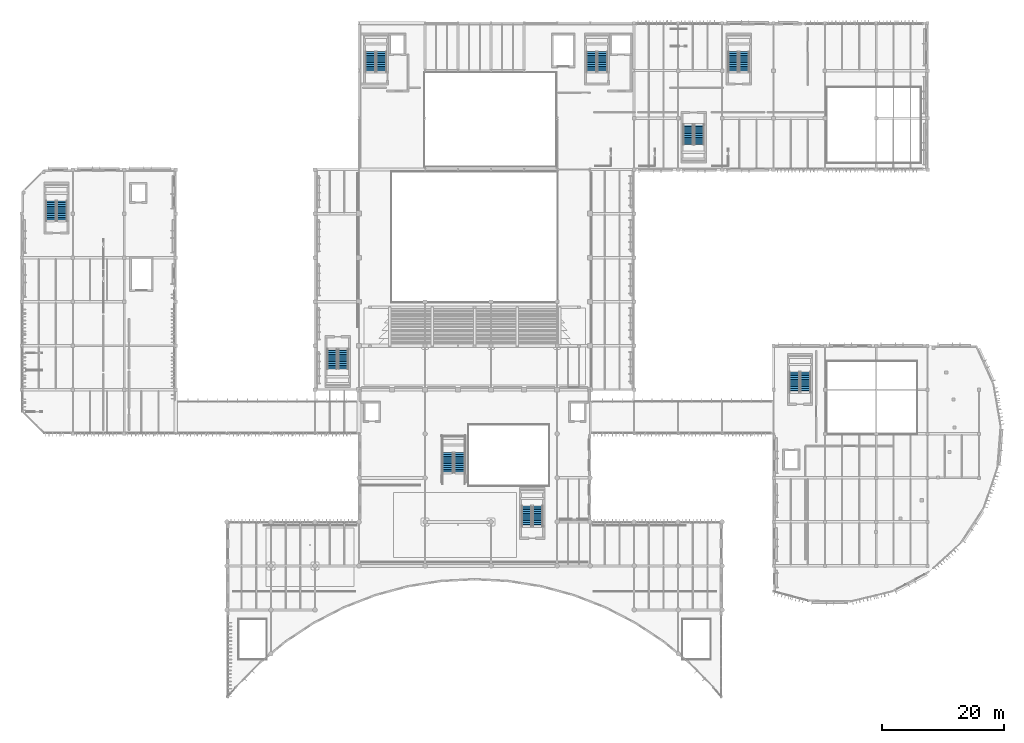
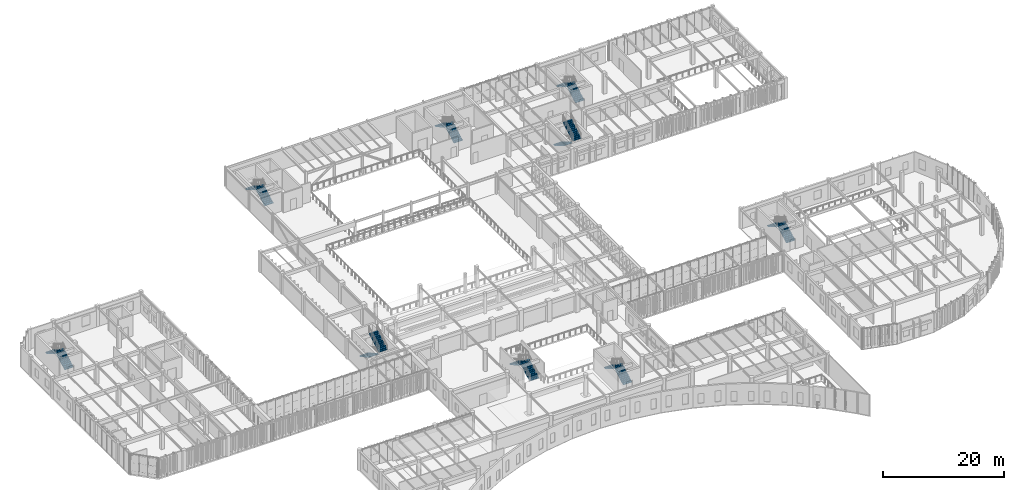
# One storey, part 49 of 122: 18 stair flights, 9 elements without a shape of their own.
"""IFC4 building model written with IfcOpenShell, lengths in metres."""

from ifc_helpers import new_model, si_unit, direction, frame, origin, place, context, subcontext, project, spatial, polyline, outline, extrude, material, type_object, element, aggregate, save


model = new_model("IFC4")

# Units and contexts
model_context = context("Model", 3, precision=1e-05, world=origin(), true_north=direction((0.0, 1.0)))
body_context = subcontext(model_context, "Body", "Model", "MODEL_VIEW")
ifc_project = project(units=[si_unit("LENGTHUNIT", "METRE"), si_unit("AREAUNIT", "SQUARE_METRE"), si_unit("VOLUMEUNIT", "CUBIC_METRE"), si_unit("PLANEANGLEUNIT", "RADIAN"), si_unit("MASSUNIT", "GRAM", prefix="KILO")], contexts=[model_context])

# Site, building, storey
site_placement = place(None, origin())
site = spatial("IfcSite", under=ifc_project, at=site_placement, CompositionType="ELEMENT")
building_placement = place(site_placement, origin())
building = spatial("IfcBuilding", under=site, at=building_placement, Name="Tazoul Stagehouse", CompositionType="ELEMENT")
storey_placement = place(building_placement, frame((0.0, 0.0, 4.800048828125)))
storey = spatial("IfcBuildingStorey", under=building, at=storey_placement, Name="L01", CompositionType="ELEMENT", Elevation=4.800048828125)

# Stair, stair flights
ifc_material = material(Name="Concrete C40/50", Category="concrete")
stair_type_1 = type_object("IfcStairType", Name="Protected Core Dogleg Stair 4800", PredefinedType="HALF_TURN_STAIR", material=ifc_material)
stair_1_placement = place(storey_placement, origin())
stair_1 = element("IfcStair", 1, at=stair_1_placement, inside=storey, type_object=stair_type_1, Name="L01 Core Escape Stair ST-01", PredefinedType="HALF_TURN_STAIR")
stair_flight_type_1 = type_object("IfcStairFlightType", Name="Core Stair Flight W1650", PredefinedType="STRAIGHT", material=ifc_material)
stair_flight_1_placement = place(storey_placement, frame((97.425048828125, 103.800048828125, 0.0), z_axis=(0.0, 0.0, 1.0), x_axis=(0.0, 1.0, 0.0)))
stair_flight_1 = element("IfcStairFlight", 2, at=stair_flight_1_placement, type_object=stair_flight_type_1, Name="ST-01 flight 1", NumberOfRisers=12, NumberOfTreads=11, PredefinedType="STRAIGHT", RiserHeight=0.175, TreadLength=0.3, context=body_context, shape_type="SweptSolid", body=[
    extrude(outline(polyline([(0.0, 0.0), (0.0, 0.175048828125), (0.300048828125, 0.175048828125), (0.300048828125, 0.35009765625), (0.60009765625, 0.35009765625), (0.60009765625, 0.52490234375), (0.89990234375, 0.52490234375), (0.89990234375, 0.699951171875), (1.199951171875, 0.699951171875), (1.199951171875, 0.875), (1.5, 0.875), (1.5, 1.050048828125), (1.800048828125, 1.050048828125), (1.800048828125, 1.22509765625), (2.10009765625, 1.22509765625), (2.10009765625, 1.39990234375), (2.39990234375, 1.39990234375), (2.39990234375, 1.574951171875), (2.699951171875, 1.574951171875), (2.699951171875, 1.75), (3.0, 1.75), (3.0, 1.925048828125), (3.300048828125, 1.925048828125), (3.300048828125, 2.10009765625), (3.300048828125, 1.75146484375), (0.297607421875, 0.0), (0.0, 0.0)])), frame((0.0, 0.824951171875, 0.0), z_axis=(0.0, -1.0, 0.0), x_axis=(1.0, 0.0, 0.0)), (0.0, 0.0, 1.0), 1.64990234375),
])
stair_flight_2_placement = place(storey_placement, frame((95.625, 107.10009765625, 2.099853515625), z_axis=(0.0, 0.0, 1.0), x_axis=(0.0, -1.0, 0.0)))
stair_flight_2 = element("IfcStairFlight", 3, at=stair_flight_2_placement, type_object=stair_flight_type_1, Name="ST-01 flight 2", NumberOfRisers=12, NumberOfTreads=11, PredefinedType="STRAIGHT", RiserHeight=0.175, TreadLength=0.3, context=body_context, shape_type="SweptSolid", body=[
    extrude(outline(polyline([(0.0, 0.0), (0.0, 0.175048828125), (0.300048828125, 0.175048828125), (0.300048828125, 0.35009765625), (0.60009765625, 0.35009765625), (0.60009765625, 0.52490234375), (0.89990234375, 0.52490234375), (0.89990234375, 0.699951171875), (1.199951171875, 0.699951171875), (1.199951171875, 0.875), (1.5, 0.875), (1.5, 1.050048828125), (1.800048828125, 1.050048828125), (1.800048828125, 1.22509765625), (2.10009765625, 1.22509765625), (2.10009765625, 1.39990234375), (2.39990234375, 1.39990234375), (2.39990234375, 1.574951171875), (2.699951171875, 1.574951171875), (2.699951171875, 1.75), (3.0, 1.75), (3.0, 1.925048828125), (3.300048828125, 1.925048828125), (3.300048828125, 2.10009765625), (3.300048828125, 1.75146484375), (0.297607421875, 0.0), (0.0, 0.0)])), frame((0.0, 0.824951171875, 0.0), z_axis=(0.0, -1.0, 0.0), x_axis=(1.0, 0.0, 0.0)), (0.0, 0.0, 1.0), 1.64990234375),
])
aggregate(stair_1, [stair_flight_1, stair_flight_2])

stair_type_2 = type_object("IfcStairType", Name="Protected Core Dogleg Stair 4200", PredefinedType="HALF_TURN_STAIR", material=ifc_material)
stair_2_placement = place(storey_placement, origin())
stair_2 = element("IfcStair", 4, at=stair_2_placement, inside=storey, type_object=stair_type_2, Name="L01 Core Escape Stair ST-02", PredefinedType="HALF_TURN_STAIR")
stair_flight_3_placement = place(storey_placement, frame((120.625, 103.800048828125, 0.0), z_axis=(0.0, 0.0, 1.0), x_axis=(0.0, 1.0, 0.0)))
stair_flight_3 = element("IfcStairFlight", 5, at=stair_flight_3_placement, type_object=stair_flight_type_1, Name="ST-02 flight 1", NumberOfRisers=12, NumberOfTreads=11, PredefinedType="STRAIGHT", RiserHeight=0.175, TreadLength=0.3, context=body_context, shape_type="SweptSolid", body=[
    extrude(outline(polyline([(0.0, 0.0), (0.0, 0.175048828125), (0.300048828125, 0.175048828125), (0.300048828125, 0.35009765625), (0.60009765625, 0.35009765625), (0.60009765625, 0.52490234375), (0.89990234375, 0.52490234375), (0.89990234375, 0.699951171875), (1.199951171875, 0.699951171875), (1.199951171875, 0.875), (1.5, 0.875), (1.5, 1.050048828125), (1.800048828125, 1.050048828125), (1.800048828125, 1.22509765625), (2.10009765625, 1.22509765625), (2.10009765625, 1.39990234375), (2.39990234375, 1.39990234375), (2.39990234375, 1.574951171875), (2.699951171875, 1.574951171875), (2.699951171875, 1.75), (3.0, 1.75), (3.0, 1.925048828125), (3.300048828125, 1.925048828125), (3.300048828125, 2.10009765625), (3.300048828125, 1.75146484375), (0.297607421875, 0.0), (0.0, 0.0)])), frame((0.0, 0.824951171875, 0.0), z_axis=(0.0, -1.0, 0.0), x_axis=(1.0, 0.0, 0.0)), (0.0, 0.0, 1.0), 1.64990234375),
])
stair_flight_4_placement = place(storey_placement, frame((118.824951171875, 107.10009765625, 2.099853515625), z_axis=(0.0, 0.0, 1.0), x_axis=(0.0, -1.0, 0.0)))
stair_flight_4 = element("IfcStairFlight", 6, at=stair_flight_4_placement, type_object=stair_flight_type_1, Name="ST-02 flight 2", NumberOfRisers=12, NumberOfTreads=11, PredefinedType="STRAIGHT", RiserHeight=0.175, TreadLength=0.3, context=body_context, shape_type="SweptSolid", body=[
    extrude(outline(polyline([(0.0, 0.0), (0.0, 0.175048828125), (0.300048828125, 0.175048828125), (0.300048828125, 0.35009765625), (0.60009765625, 0.35009765625), (0.60009765625, 0.52490234375), (0.89990234375, 0.52490234375), (0.89990234375, 0.699951171875), (1.199951171875, 0.699951171875), (1.199951171875, 0.875), (1.5, 0.875), (1.5, 1.050048828125), (1.800048828125, 1.050048828125), (1.800048828125, 1.22509765625), (2.10009765625, 1.22509765625), (2.10009765625, 1.39990234375), (2.39990234375, 1.39990234375), (2.39990234375, 1.574951171875), (2.699951171875, 1.574951171875), (2.699951171875, 1.75), (3.0, 1.75), (3.0, 1.925048828125), (3.300048828125, 1.925048828125), (3.300048828125, 2.10009765625), (3.300048828125, 1.75146484375), (0.297607421875, 0.0), (0.0, 0.0)])), frame((0.0, 0.824951171875, 0.0), z_axis=(0.0, -1.0, 0.0), x_axis=(1.0, 0.0, 0.0)), (0.0, 0.0, 1.0), 1.64990234375),
])
aggregate(stair_2, [stair_flight_3, stair_flight_4])

stair_type_3 = type_object("IfcStairType", Name="Protected Core Dogleg Stair 3900", PredefinedType="HALF_TURN_STAIR", material=ifc_material)
stair_3_placement = place(storey_placement, origin())
stair_3 = element("IfcStair", 7, at=stair_3_placement, inside=storey, type_object=stair_type_3, Name="L01 Core Escape Stair ST-03", PredefinedType="HALF_TURN_STAIR")
stair_flight_5_placement = place(storey_placement, frame((61.27490234375, 103.800048828125, 0.0), z_axis=(0.0, 0.0, 1.0), x_axis=(0.0, 1.0, 0.0)))
stair_flight_5 = element("IfcStairFlight", 8, at=stair_flight_5_placement, type_object=stair_flight_type_1, Name="ST-03 flight 1", NumberOfRisers=12, NumberOfTreads=11, PredefinedType="STRAIGHT", RiserHeight=0.175, TreadLength=0.3, context=body_context, shape_type="SweptSolid", body=[
    extrude(outline(polyline([(0.0, 0.0), (0.0, 0.175048828125), (0.300048828125, 0.175048828125), (0.300048828125, 0.35009765625), (0.60009765625, 0.35009765625), (0.60009765625, 0.52490234375), (0.89990234375, 0.52490234375), (0.89990234375, 0.699951171875), (1.199951171875, 0.699951171875), (1.199951171875, 0.875), (1.5, 0.875), (1.5, 1.050048828125), (1.800048828125, 1.050048828125), (1.800048828125, 1.22509765625), (2.10009765625, 1.22509765625), (2.10009765625, 1.39990234375), (2.39990234375, 1.39990234375), (2.39990234375, 1.574951171875), (2.699951171875, 1.574951171875), (2.699951171875, 1.75), (3.0, 1.75), (3.0, 1.925048828125), (3.300048828125, 1.925048828125), (3.300048828125, 2.10009765625), (3.300048828125, 1.75146484375), (0.297607421875, 0.0), (0.0, 0.0)])), frame((0.0, 0.824951171875, 0.0), z_axis=(0.0, -1.0, 0.0), x_axis=(1.0, 0.0, 0.0)), (0.0, 0.0, 1.0), 1.64990234375),
])
stair_flight_6_placement = place(storey_placement, frame((59.47509765625, 107.10009765625, 2.099853515625), z_axis=(0.0, 0.0, 1.0), x_axis=(0.0, -1.0, 0.0)))
stair_flight_6 = element("IfcStairFlight", 9, at=stair_flight_6_placement, type_object=stair_flight_type_1, Name="ST-03 flight 2", NumberOfRisers=12, NumberOfTreads=11, PredefinedType="STRAIGHT", RiserHeight=0.175, TreadLength=0.3, context=body_context, shape_type="SweptSolid", body=[
    extrude(outline(polyline([(0.0, 0.0), (0.0, 0.175048828125), (0.300048828125, 0.175048828125), (0.300048828125, 0.35009765625), (0.60009765625, 0.35009765625), (0.60009765625, 0.52490234375), (0.89990234375, 0.52490234375), (0.89990234375, 0.699951171875), (1.199951171875, 0.699951171875), (1.199951171875, 0.875), (1.5, 0.875), (1.5, 1.050048828125), (1.800048828125, 1.050048828125), (1.800048828125, 1.22509765625), (2.10009765625, 1.22509765625), (2.10009765625, 1.39990234375), (2.39990234375, 1.39990234375), (2.39990234375, 1.574951171875), (2.699951171875, 1.574951171875), (2.699951171875, 1.75), (3.0, 1.75), (3.0, 1.925048828125), (3.300048828125, 1.925048828125), (3.300048828125, 2.10009765625), (3.300048828125, 1.75146484375), (0.297607421875, 0.0), (0.0, 0.0)])), frame((0.0, 0.824951171875, 0.0), z_axis=(0.0, -1.0, 0.0), x_axis=(1.0, 0.0, 0.0)), (0.0, 0.0, 1.0), 1.64990234375),
])
aggregate(stair_3, [stair_flight_5, stair_flight_6])

stair_4_placement = place(storey_placement, origin())
stair_4 = element("IfcStair", 10, at=stair_4_placement, inside=storey, type_object=stair_type_1, Name="L01 Core Escape Stair ST-04", PredefinedType="HALF_TURN_STAIR")
stair_flight_7_placement = place(storey_placement, frame((111.425048828125, 95.199951171875, 0.0), z_axis=(0.0, 0.0, 1.0), x_axis=(0.0, -1.0, 0.0)))
stair_flight_7 = element("IfcStairFlight", 11, at=stair_flight_7_placement, type_object=stair_flight_type_1, Name="ST-04 flight 1", NumberOfRisers=12, NumberOfTreads=11, PredefinedType="STRAIGHT", RiserHeight=0.175, TreadLength=0.3, context=body_context, shape_type="SweptSolid", body=[
    extrude(outline(polyline([(0.0, 0.0), (0.0, 0.175048828125), (0.300048828125, 0.175048828125), (0.300048828125, 0.35009765625), (0.60009765625, 0.35009765625), (0.60009765625, 0.52490234375), (0.89990234375, 0.52490234375), (0.89990234375, 0.699951171875), (1.199951171875, 0.699951171875), (1.199951171875, 0.875), (1.5, 0.875), (1.5, 1.050048828125), (1.800048828125, 1.050048828125), (1.800048828125, 1.22509765625), (2.10009765625, 1.22509765625), (2.10009765625, 1.39990234375), (2.39990234375, 1.39990234375), (2.39990234375, 1.574951171875), (2.699951171875, 1.574951171875), (2.699951171875, 1.75), (3.0, 1.75), (3.0, 1.925048828125), (3.300048828125, 1.925048828125), (3.300048828125, 2.10009765625), (3.300048828125, 1.75146484375), (0.297607421875, 0.0), (0.0, 0.0)])), frame((0.0, 0.824951171875, 0.0), z_axis=(0.0, -1.0, 0.0), x_axis=(1.0, 0.0, 0.0)), (0.0, 0.0, 1.0), 1.64990234375),
])
stair_flight_8_placement = place(storey_placement, frame((113.22509765625, 91.89990234375, 2.099853515625), z_axis=(0.0, 0.0, 1.0), x_axis=(0.0, 1.0, 0.0)))
stair_flight_8 = element("IfcStairFlight", 12, at=stair_flight_8_placement, type_object=stair_flight_type_1, Name="ST-04 flight 2", NumberOfRisers=12, NumberOfTreads=11, PredefinedType="STRAIGHT", RiserHeight=0.175, TreadLength=0.3, context=body_context, shape_type="SweptSolid", body=[
    extrude(outline(polyline([(0.0, 0.0), (0.0, 0.175048828125), (0.300048828125, 0.175048828125), (0.300048828125, 0.35009765625), (0.60009765625, 0.35009765625), (0.60009765625, 0.52490234375), (0.89990234375, 0.52490234375), (0.89990234375, 0.699951171875), (1.199951171875, 0.699951171875), (1.199951171875, 0.875), (1.5, 0.875), (1.5, 1.050048828125), (1.800048828125, 1.050048828125), (1.800048828125, 1.22509765625), (2.10009765625, 1.22509765625), (2.10009765625, 1.39990234375), (2.39990234375, 1.39990234375), (2.39990234375, 1.574951171875), (2.699951171875, 1.574951171875), (2.699951171875, 1.75), (3.0, 1.75), (3.0, 1.925048828125), (3.300048828125, 1.925048828125), (3.300048828125, 2.10009765625), (3.300048828125, 1.75146484375), (0.297607421875, 0.0), (0.0, 0.0)])), frame((0.0, 0.824951171875, 0.0), z_axis=(0.0, -1.0, 0.0), x_axis=(1.0, 0.0, 0.0)), (0.0, 0.0, 1.0), 1.64990234375),
])
aggregate(stair_4, [stair_flight_7, stair_flight_8])

stair_5_placement = place(storey_placement, origin())
stair_5 = element("IfcStair", 13, at=stair_5_placement, inside=storey, type_object=stair_type_2, Name="L01 Core Escape Stair ST-05", PredefinedType="HALF_TURN_STAIR")
stair_flight_9_placement = place(storey_placement, frame((53.22509765625, 58.489990234375, 0.0), z_axis=(0.0, 0.0, 1.0), x_axis=(0.0, -1.0, 0.0)))
stair_flight_9 = element("IfcStairFlight", 14, at=stair_flight_9_placement, type_object=stair_flight_type_1, Name="ST-05 flight 1", NumberOfRisers=12, NumberOfTreads=11, PredefinedType="STRAIGHT", RiserHeight=0.175, TreadLength=0.3, context=body_context, shape_type="SweptSolid", body=[
    extrude(outline(polyline([(0.0, 0.0), (0.0, 0.175048828125), (0.300048828125, 0.175048828125), (0.300048828125, 0.35009765625), (0.60009765625, 0.35009765625), (0.60009765625, 0.52490234375), (0.89990234375, 0.52490234375), (0.89990234375, 0.699951171875), (1.199951171875, 0.699951171875), (1.199951171875, 0.875), (1.5, 0.875), (1.5, 1.050048828125), (1.800048828125, 1.050048828125), (1.800048828125, 1.22509765625), (2.10009765625, 1.22509765625), (2.10009765625, 1.39990234375), (2.39990234375, 1.39990234375), (2.39990234375, 1.574951171875), (2.699951171875, 1.574951171875), (2.699951171875, 1.75), (3.0, 1.75), (3.0, 1.925048828125), (3.300048828125, 1.925048828125), (3.300048828125, 2.10009765625), (3.300048828125, 1.75146484375), (0.297607421875, 0.0), (0.0, 0.0)])), frame((0.0, 0.824951171875, 0.0), z_axis=(0.0, -1.0, 0.0), x_axis=(1.0, 0.0, 0.0)), (0.0, 0.0, 1.0), 1.64990234375),
])
stair_flight_10_placement = place(storey_placement, frame((55.02490234375, 55.18994140625, 2.099853515625), z_axis=(0.0, 0.0, 1.0), x_axis=(0.0, 1.0, 0.0)))
stair_flight_10 = element("IfcStairFlight", 15, at=stair_flight_10_placement, type_object=stair_flight_type_1, Name="ST-05 flight 2", NumberOfRisers=12, NumberOfTreads=11, PredefinedType="STRAIGHT", RiserHeight=0.175, TreadLength=0.3, context=body_context, shape_type="SweptSolid", body=[
    extrude(outline(polyline([(0.0, 0.0), (0.0, 0.175048828125), (0.300048828125, 0.175048828125), (0.300048828125, 0.35009765625), (0.60009765625, 0.35009765625), (0.60009765625, 0.52490234375), (0.89990234375, 0.52490234375), (0.89990234375, 0.699951171875), (1.199951171875, 0.699951171875), (1.199951171875, 0.875), (1.5, 0.875), (1.5, 1.050048828125), (1.800048828125, 1.050048828125), (1.800048828125, 1.22509765625), (2.10009765625, 1.22509765625), (2.10009765625, 1.39990234375), (2.39990234375, 1.39990234375), (2.39990234375, 1.574951171875), (2.699951171875, 1.574951171875), (2.699951171875, 1.75), (3.0, 1.75), (3.0, 1.925048828125), (3.300048828125, 1.925048828125), (3.300048828125, 2.10009765625), (3.300048828125, 1.75146484375), (0.297607421875, 0.0), (0.0, 0.0)])), frame((0.0, 0.824951171875, 0.0), z_axis=(0.0, -1.0, 0.0), x_axis=(1.0, 0.0, 0.0)), (0.0, 0.0, 1.0), 1.64990234375),
])
aggregate(stair_5, [stair_flight_9, stair_flight_10])

stair_6_placement = place(storey_placement, origin())
stair_6 = element("IfcStair", 16, at=stair_6_placement, inside=storey, type_object=stair_type_3, Name="L01 Core Escape Stair ST-06", PredefinedType="HALF_TURN_STAIR")
stair_flight_11_placement = place(storey_placement, frame((9.02490234375, 79.39990234375, 0.0), z_axis=(0.0, 0.0, 1.0), x_axis=(0.0, 1.0, 0.0)))
stair_flight_11 = element("IfcStairFlight", 17, at=stair_flight_11_placement, type_object=stair_flight_type_1, Name="ST-06 flight 1", NumberOfRisers=12, NumberOfTreads=11, PredefinedType="STRAIGHT", RiserHeight=0.175, TreadLength=0.3, context=body_context, shape_type="SweptSolid", body=[
    extrude(outline(polyline([(0.0, 0.0), (0.0, 0.175048828125), (0.300048828125, 0.175048828125), (0.300048828125, 0.35009765625), (0.60009765625, 0.35009765625), (0.60009765625, 0.52490234375), (0.89990234375, 0.52490234375), (0.89990234375, 0.699951171875), (1.199951171875, 0.699951171875), (1.199951171875, 0.875), (1.5, 0.875), (1.5, 1.050048828125), (1.800048828125, 1.050048828125), (1.800048828125, 1.22509765625), (2.10009765625, 1.22509765625), (2.10009765625, 1.39990234375), (2.39990234375, 1.39990234375), (2.39990234375, 1.574951171875), (2.699951171875, 1.574951171875), (2.699951171875, 1.75), (3.0, 1.75), (3.0, 1.925048828125), (3.300048828125, 1.925048828125), (3.300048828125, 2.10009765625), (3.300048828125, 1.75146484375), (0.297607421875, 0.0), (0.0, 0.0)])), frame((0.0, 0.824951171875, 0.0), z_axis=(0.0, -1.0, 0.0), x_axis=(1.0, 0.0, 0.0)), (0.0, 0.0, 1.0), 1.64990234375),
])
stair_flight_12_placement = place(storey_placement, frame((7.22509765625, 82.699951171875, 2.099853515625), z_axis=(0.0, 0.0, 1.0), x_axis=(0.0, -1.0, 0.0)))
stair_flight_12 = element("IfcStairFlight", 18, at=stair_flight_12_placement, type_object=stair_flight_type_1, Name="ST-06 flight 2", NumberOfRisers=12, NumberOfTreads=11, PredefinedType="STRAIGHT", RiserHeight=0.175, TreadLength=0.3, context=body_context, shape_type="SweptSolid", body=[
    extrude(outline(polyline([(0.0, 0.0), (0.0, 0.175048828125), (0.300048828125, 0.175048828125), (0.300048828125, 0.35009765625), (0.60009765625, 0.35009765625), (0.60009765625, 0.52490234375), (0.89990234375, 0.52490234375), (0.89990234375, 0.699951171875), (1.199951171875, 0.699951171875), (1.199951171875, 0.875), (1.5, 0.875), (1.5, 1.050048828125), (1.800048828125, 1.050048828125), (1.800048828125, 1.22509765625), (2.10009765625, 1.22509765625), (2.10009765625, 1.39990234375), (2.39990234375, 1.39990234375), (2.39990234375, 1.574951171875), (2.699951171875, 1.574951171875), (2.699951171875, 1.75), (3.0, 1.75), (3.0, 1.925048828125), (3.300048828125, 1.925048828125), (3.300048828125, 2.10009765625), (3.300048828125, 1.75146484375), (0.297607421875, 0.0), (0.0, 0.0)])), frame((0.0, 0.824951171875, 0.0), z_axis=(0.0, -1.0, 0.0), x_axis=(1.0, 0.0, 0.0)), (0.0, 0.0, 1.0), 1.64990234375),
])
aggregate(stair_6, [stair_flight_11, stair_flight_12])

stair_7_placement = place(storey_placement, origin())
stair_7 = element("IfcStair", 19, at=stair_7_placement, inside=storey, type_object=stair_type_1, Name="L01 Core Escape Stair ST-07", PredefinedType="HALF_TURN_STAIR")
stair_flight_13_placement = place(storey_placement, frame((130.625, 51.39990234375, 0.0), z_axis=(0.0, 0.0, 1.0), x_axis=(0.0, 1.0, 0.0)))
stair_flight_13 = element("IfcStairFlight", 20, at=stair_flight_13_placement, type_object=stair_flight_type_1, Name="ST-07 flight 1", NumberOfRisers=12, NumberOfTreads=11, PredefinedType="STRAIGHT", RiserHeight=0.175, TreadLength=0.3, context=body_context, shape_type="SweptSolid", body=[
    extrude(outline(polyline([(0.0, 0.0), (0.0, 0.175048828125), (0.300048828125, 0.175048828125), (0.300048828125, 0.35009765625), (0.60009765625, 0.35009765625), (0.60009765625, 0.52490234375), (0.89990234375, 0.52490234375), (0.89990234375, 0.699951171875), (1.199951171875, 0.699951171875), (1.199951171875, 0.875), (1.5, 0.875), (1.5, 1.050048828125), (1.800048828125, 1.050048828125), (1.800048828125, 1.22509765625), (2.10009765625, 1.22509765625), (2.10009765625, 1.39990234375), (2.39990234375, 1.39990234375), (2.39990234375, 1.574951171875), (2.699951171875, 1.574951171875), (2.699951171875, 1.75), (3.0, 1.75), (3.0, 1.925048828125), (3.300048828125, 1.925048828125), (3.300048828125, 2.10009765625), (3.300048828125, 1.75146484375), (0.297607421875, 0.0), (0.0, 0.0)])), frame((0.0, 0.824951171875, 0.0), z_axis=(0.0, -1.0, 0.0), x_axis=(1.0, 0.0, 0.0)), (0.0, 0.0, 1.0), 1.64990234375),
])
stair_flight_14_placement = place(storey_placement, frame((128.824951171875, 54.699951171875, 2.099853515625), z_axis=(0.0, 0.0, 1.0), x_axis=(0.0, -1.0, 0.0)))
stair_flight_14 = element("IfcStairFlight", 21, at=stair_flight_14_placement, type_object=stair_flight_type_1, Name="ST-07 flight 2", NumberOfRisers=12, NumberOfTreads=11, PredefinedType="STRAIGHT", RiserHeight=0.175, TreadLength=0.3, context=body_context, shape_type="SweptSolid", body=[
    extrude(outline(polyline([(0.0, 0.0), (0.0, 0.175048828125), (0.300048828125, 0.175048828125), (0.300048828125, 0.35009765625), (0.60009765625, 0.35009765625), (0.60009765625, 0.52490234375), (0.89990234375, 0.52490234375), (0.89990234375, 0.699951171875), (1.199951171875, 0.699951171875), (1.199951171875, 0.875), (1.5, 0.875), (1.5, 1.050048828125), (1.800048828125, 1.050048828125), (1.800048828125, 1.22509765625), (2.10009765625, 1.22509765625), (2.10009765625, 1.39990234375), (2.39990234375, 1.39990234375), (2.39990234375, 1.574951171875), (2.699951171875, 1.574951171875), (2.699951171875, 1.75), (3.0, 1.75), (3.0, 1.925048828125), (3.300048828125, 1.925048828125), (3.300048828125, 2.10009765625), (3.300048828125, 1.75146484375), (0.297607421875, 0.0), (0.0, 0.0)])), frame((0.0, 0.824951171875, 0.0), z_axis=(0.0, -1.0, 0.0), x_axis=(1.0, 0.0, 0.0)), (0.0, 0.0, 1.0), 1.64990234375),
])
aggregate(stair_7, [stair_flight_13, stair_flight_14])

stair_8_placement = place(storey_placement, origin())
stair_8 = element("IfcStair", 22, at=stair_8_placement, inside=storey, type_object=stair_type_2, Name="L01 Core Escape Stair ST-08", PredefinedType="HALF_TURN_STAIR")
stair_flight_15_placement = place(storey_placement, frame((86.824951171875, 29.47998046875, 0.0), z_axis=(0.0, 0.0, 1.0), x_axis=(0.0, 1.0, 0.0)))
stair_flight_15 = element("IfcStairFlight", 23, at=stair_flight_15_placement, type_object=stair_flight_type_1, Name="ST-08 flight 1", NumberOfRisers=12, NumberOfTreads=11, PredefinedType="STRAIGHT", RiserHeight=0.175, TreadLength=0.3, context=body_context, shape_type="SweptSolid", body=[
    extrude(outline(polyline([(0.0, 0.0), (0.0, 0.175048828125), (0.300048828125, 0.175048828125), (0.300048828125, 0.35009765625), (0.60009765625, 0.35009765625), (0.60009765625, 0.52490234375), (0.89990234375, 0.52490234375), (0.89990234375, 0.699951171875), (1.199951171875, 0.699951171875), (1.199951171875, 0.875), (1.5, 0.875), (1.5, 1.050048828125), (1.800048828125, 1.050048828125), (1.800048828125, 1.22509765625), (2.10009765625, 1.22509765625), (2.10009765625, 1.39990234375), (2.39990234375, 1.39990234375), (2.39990234375, 1.574951171875), (2.699951171875, 1.574951171875), (2.699951171875, 1.75), (3.0, 1.75), (3.0, 1.925048828125), (3.300048828125, 1.925048828125), (3.300048828125, 2.10009765625), (3.300048828125, 1.75146484375), (0.297607421875, 0.0), (0.0, 0.0)])), frame((0.0, 0.824951171875, 0.0), z_axis=(0.0, -1.0, 0.0), x_axis=(1.0, 0.0, 0.0)), (0.0, 0.0, 1.0), 1.64990234375),
])
stair_flight_16_placement = place(storey_placement, frame((85.02490234375, 32.780029296875, 2.099853515625), z_axis=(0.0, 0.0, 1.0), x_axis=(0.0, -1.0, 0.0)))
stair_flight_16 = element("IfcStairFlight", 24, at=stair_flight_16_placement, type_object=stair_flight_type_1, Name="ST-08 flight 2", NumberOfRisers=12, NumberOfTreads=11, PredefinedType="STRAIGHT", RiserHeight=0.175, TreadLength=0.3, context=body_context, shape_type="SweptSolid", body=[
    extrude(outline(polyline([(0.0, 0.0), (0.0, 0.175048828125), (0.300048828125, 0.175048828125), (0.300048828125, 0.35009765625), (0.60009765625, 0.35009765625), (0.60009765625, 0.52490234375), (0.89990234375, 0.52490234375), (0.89990234375, 0.699951171875), (1.199951171875, 0.699951171875), (1.199951171875, 0.875), (1.5, 0.875), (1.5, 1.050048828125), (1.800048828125, 1.050048828125), (1.800048828125, 1.22509765625), (2.10009765625, 1.22509765625), (2.10009765625, 1.39990234375), (2.39990234375, 1.39990234375), (2.39990234375, 1.574951171875), (2.699951171875, 1.574951171875), (2.699951171875, 1.75), (3.0, 1.75), (3.0, 1.925048828125), (3.300048828125, 1.925048828125), (3.300048828125, 2.10009765625), (3.300048828125, 1.75146484375), (0.297607421875, 0.0), (0.0, 0.0)])), frame((0.0, 0.824951171875, 0.0), z_axis=(0.0, -1.0, 0.0), x_axis=(1.0, 0.0, 0.0)), (0.0, 0.0, 1.0), 1.64990234375),
])
aggregate(stair_8, [stair_flight_15, stair_flight_16])

stair_type_4 = type_object("IfcStairType", Name="Grand Foyer Ceremonial Straight Stair", PredefinedType="HALF_TURN_STAIR", material=ifc_material)
stair_9_placement = place(storey_placement, origin())
stair_9 = element("IfcStair", 25, at=stair_9_placement, inside=storey, type_object=stair_type_4, Name="L01 Civic Feature Stair ST-ATR-01", PredefinedType="HALF_TURN_STAIR")
stair_flight_type_2 = type_object("IfcStairFlightType", Name="Grand Foyer Stair Flight W1800", PredefinedType="STRAIGHT", material=ifc_material)
stair_flight_17_placement = place(storey_placement, frame((74.050048828125, 38.199951171875, 0.0), z_axis=(0.0, 0.0, 1.0), x_axis=(0.0, 1.0, 0.0)))
stair_flight_17 = element("IfcStairFlight", 26, at=stair_flight_17_placement, type_object=stair_flight_type_2, Name="ST-ATR-01 flight 1", NumberOfRisers=12, NumberOfTreads=11, PredefinedType="STRAIGHT", RiserHeight=0.175, TreadLength=0.3, context=body_context, shape_type="SweptSolid", body=[
    extrude(outline(polyline([(0.0, 0.0), (0.0, 0.175048828125), (0.300048828125, 0.175048828125), (0.300048828125, 0.35009765625), (0.60009765625, 0.35009765625), (0.60009765625, 0.52490234375), (0.89990234375, 0.52490234375), (0.89990234375, 0.699951171875), (1.199951171875, 0.699951171875), (1.199951171875, 0.875), (1.5, 0.875), (1.5, 1.050048828125), (1.800048828125, 1.050048828125), (1.800048828125, 1.22509765625), (2.10009765625, 1.22509765625), (2.10009765625, 1.39990234375), (2.39990234375, 1.39990234375), (2.39990234375, 1.574951171875), (2.699951171875, 1.574951171875), (2.699951171875, 1.75), (3.0, 1.75), (3.0, 1.925048828125), (3.300048828125, 1.925048828125), (3.300048828125, 2.10009765625), (3.300048828125, 1.75146484375), (0.297607421875, 0.0), (0.0, 0.0)])), frame((0.0, 0.89990234375, 0.0), z_axis=(0.0, -1.0, 0.0), x_axis=(1.0, 0.0, 0.0)), (0.0, 0.0, 1.0), 1.800048828125),
])
stair_flight_18_placement = place(storey_placement, frame((72.10009765625, 41.5, 2.099853515625), z_axis=(0.0, 0.0, 1.0), x_axis=(0.0, -1.0, 0.0)))
stair_flight_18 = element("IfcStairFlight", 27, at=stair_flight_18_placement, type_object=stair_flight_type_2, Name="ST-ATR-01 flight 2", NumberOfRisers=12, NumberOfTreads=11, PredefinedType="STRAIGHT", RiserHeight=0.175, TreadLength=0.3, context=body_context, shape_type="SweptSolid", body=[
    extrude(outline(polyline([(0.0, 0.0), (0.0, 0.175048828125), (0.300048828125, 0.175048828125), (0.300048828125, 0.35009765625), (0.60009765625, 0.35009765625), (0.60009765625, 0.52490234375), (0.89990234375, 0.52490234375), (0.89990234375, 0.699951171875), (1.199951171875, 0.699951171875), (1.199951171875, 0.875), (1.5, 0.875), (1.5, 1.050048828125), (1.800048828125, 1.050048828125), (1.800048828125, 1.22509765625), (2.10009765625, 1.22509765625), (2.10009765625, 1.39990234375), (2.39990234375, 1.39990234375), (2.39990234375, 1.574951171875), (2.699951171875, 1.574951171875), (2.699951171875, 1.75), (3.0, 1.75), (3.0, 1.925048828125), (3.300048828125, 1.925048828125), (3.300048828125, 2.10009765625), (3.300048828125, 1.75146484375), (0.297607421875, 0.0), (0.0, 0.0)])), frame((0.0, 0.89990234375, 0.0), z_axis=(0.0, -1.0, 0.0), x_axis=(1.0, 0.0, 0.0)), (0.0, 0.0, 1.0), 1.800048828125),
])
aggregate(stair_9, [stair_flight_17, stair_flight_18])

save(model, "model.ifc")
